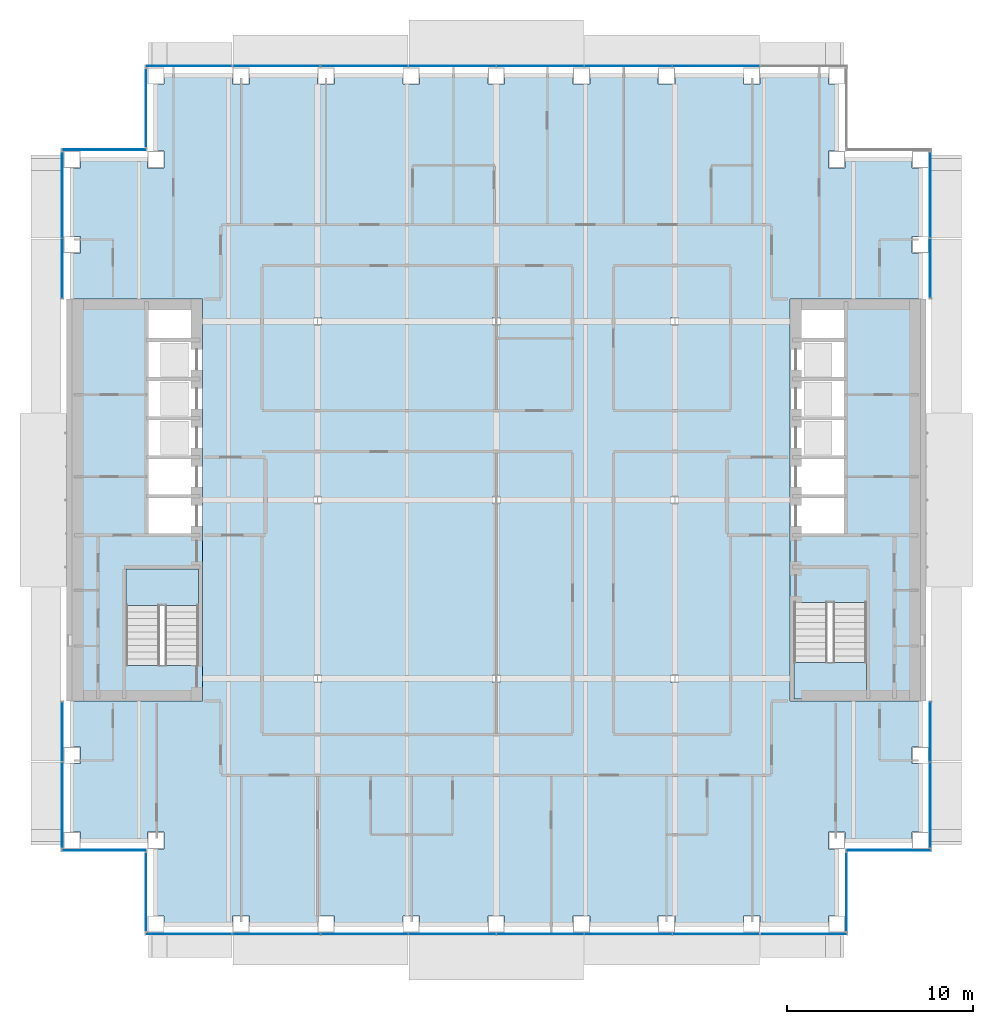
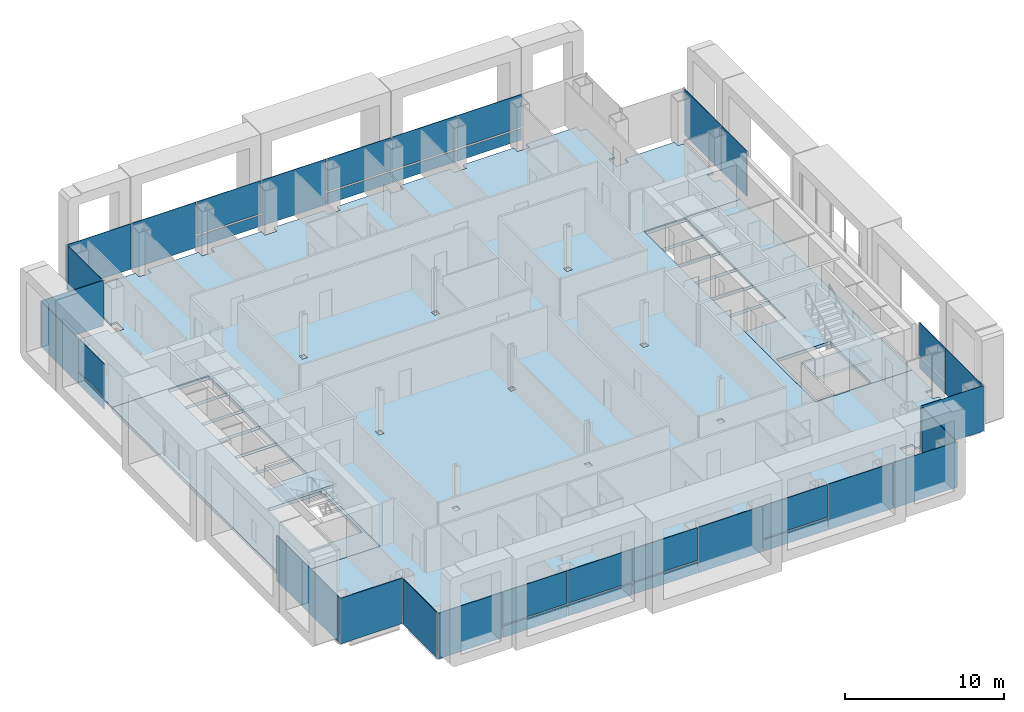
# One storey, part 9 of 20: 39 plates, 5 slabs, 14 elements without a shape of their own.
"""IFC4 building model written with IfcOpenShell, lengths in metres."""

from ifc_helpers import new_model, si_unit, direction, frame, origin, origin_2d, place, context, subcontext, project, spatial, polyline, rectangle, outline, extrude, material, layer, layer_set, type_object, element, aggregate, save


model = new_model("IFC4")

# Units and contexts
model_context = context("Model", 3, precision=1e-05, world=origin(), true_north=direction((0.0, 1.0)))
body_context = subcontext(model_context, "Body", "Model", "MODEL_VIEW")
ifc_project = project(units=[si_unit("LENGTHUNIT", "METRE"), si_unit("AREAUNIT", "SQUARE_METRE"), si_unit("VOLUMEUNIT", "CUBIC_METRE"), si_unit("PLANEANGLEUNIT", "RADIAN"), si_unit("MASSUNIT", "GRAM", prefix="KILO")], contexts=[model_context])

# Site, building, storey
site_placement = place(None, origin())
site = spatial("IfcSite", under=ifc_project, at=site_placement, CompositionType="ELEMENT")
building_placement = place(site_placement, origin())
building = spatial("IfcBuilding", under=site, at=building_placement, Name="Cobrizo Arcos Hotel Tower", CompositionType="ELEMENT")
storey_placement = place(building_placement, frame((0.0, 0.0, 110.0)))
storey = spatial("IfcBuildingStorey", under=building, at=storey_placement, Name="L27", CompositionType="ELEMENT", Elevation=110.0)

# Curtain wall, plates
ifc_material_1 = material(Name="Aluminium 6063-T6 anodised bronze", Category="aluminium")
curtain_wall_type = type_object("IfcCurtainWallType", Name="CW-A guest facade", PredefinedType="NOTDEFINED", material=ifc_material_1)
curtain_wall_1_placement = place(storey_placement, origin())
curtain_wall_1 = element("IfcCurtainWall", 1, at=curtain_wall_1_placement, inside=storey, type_object=curtain_wall_type, Name="CW-A L27 S face", PredefinedType="NOTDEFINED")
ifc_material_2 = material(Name="Glass clear laminated low-e", Category="glass")
ifc_layer_1 = layer(ifc_material_2, 0.0400390625)
ifc_layer_set_1 = layer_set([ifc_layer_1], Name="CW-A glass panel")
plate_type_1 = type_object("IfcPlateType", Name="CW-A glass panel", PredefinedType="CURTAIN_PANEL", material=ifc_layer_set_1)
plate_1_placement = place(storey_placement, frame((-11.8125, -23.324951171875, 0.990234375), z_axis=(0.0, 0.0, 1.0), x_axis=(1.0, 0.0, 0.0)))
plate_1 = element("IfcPlate", 2, at=plate_1_placement, type_object=plate_type_1, Name="CW-A glass panel 1044", PredefinedType="CURTAIN_PANEL", context=body_context, shape_type="SweptSolid", body=[
    extrude(rectangle(XDim=4.6650390625, YDim=0.0400390625, at=origin_2d()), origin(), (0.0, 0.0, 1.0), 2.510009765625),
])
plate_2_placement = place(storey_placement, frame((-7.08740234375, -23.324951171875, 0.990234375), z_axis=(0.0, 0.0, 1.0), x_axis=(1.0, 0.0, 0.0)))
plate_2 = element("IfcPlate", 3, at=plate_2_placement, type_object=plate_type_1, Name="CW-A glass panel 1045", PredefinedType="CURTAIN_PANEL", context=body_context, shape_type="SweptSolid", body=[
    extrude(rectangle(XDim=4.6650390625, YDim=0.0400390625, at=origin_2d()), origin(), (0.0, 0.0, 1.0), 2.510009765625),
])
plate_3_placement = place(storey_placement, frame((-2.362548828125, -23.324951171875, 0.990234375), z_axis=(0.0, 0.0, 1.0), x_axis=(1.0, 0.0, 0.0)))
plate_3 = element("IfcPlate", 4, at=plate_3_placement, type_object=plate_type_1, Name="CW-A glass panel 1046", PredefinedType="CURTAIN_PANEL", context=body_context, shape_type="SweptSolid", body=[
    extrude(rectangle(XDim=4.6650390625, YDim=0.0400390625, at=origin_2d()), origin(), (0.0, 0.0, 1.0), 2.510009765625),
])
plate_4_placement = place(storey_placement, frame((7.08740234375, -23.324951171875, 0.990234375), z_axis=(0.0, 0.0, 1.0), x_axis=(1.0, 0.0, 0.0)))
plate_4 = element("IfcPlate", 5, at=plate_4_placement, type_object=plate_type_1, Name="CW-A glass panel 1048", PredefinedType="CURTAIN_PANEL", context=body_context, shape_type="SweptSolid", body=[
    extrude(rectangle(XDim=4.6650390625, YDim=0.0400390625, at=origin_2d()), origin(), (0.0, 0.0, 1.0), 2.510009765625),
])

# Curtain wall, plate
curtain_wall_2_placement = place(storey_placement, origin())
curtain_wall_2 = element("IfcCurtainWall", 6, at=curtain_wall_2_placement, inside=storey, type_object=curtain_wall_type, Name="CW-A L27 E face", PredefinedType="NOTDEFINED")
plate_5_placement = place(storey_placement, frame((23.324951171875, -12.4462890625, 0.990234375), z_axis=(0.0, 0.0, 1.0), x_axis=(0.0, 1.0, 0.0)))
plate_5 = element("IfcPlate", 7, at=plate_5_placement, type_object=plate_type_1, Name="CW-A glass panel 1054", PredefinedType="CURTAIN_PANEL", context=body_context, shape_type="SweptSolid", body=[
    extrude(rectangle(XDim=3.172607421875, YDim=0.0400390625, at=origin_2d()), origin(), (0.0, 0.0, 1.0), 2.510009765625),
])

# Curtain wall, plates
curtain_wall_3_placement = place(storey_placement, origin())
curtain_wall_3 = element("IfcCurtainWall", 8, at=curtain_wall_3_placement, inside=storey, type_object=curtain_wall_type, Name="CW-A L27 N face", PredefinedType="NOTDEFINED")
plate_6_placement = place(storey_placement, frame((11.8125, 23.324951171875, 0.990234375), z_axis=(0.0, 0.0, 1.0), x_axis=(-1.0, 0.0, 0.0)))
plate_6 = element("IfcPlate", 9, at=plate_6_placement, type_object=plate_type_1, Name="CW-A glass panel 1060", PredefinedType="CURTAIN_PANEL", context=body_context, shape_type="SweptSolid", body=[
    extrude(rectangle(XDim=4.6650390625, YDim=0.0400390625, at=origin_2d()), origin(), (0.0, 0.0, 1.0), 2.510009765625),
])
plate_7_placement = place(storey_placement, frame((7.08740234375, 23.324951171875, 0.990234375), z_axis=(0.0, 0.0, 1.0), x_axis=(-1.0, 0.0, 0.0)))
plate_7 = element("IfcPlate", 10, at=plate_7_placement, type_object=plate_type_1, Name="CW-A glass panel 1061", PredefinedType="CURTAIN_PANEL", context=body_context, shape_type="SweptSolid", body=[
    extrude(rectangle(XDim=4.6650390625, YDim=0.0400390625, at=origin_2d()), origin(), (0.0, 0.0, 1.0), 2.510009765625),
])
plate_8_placement = place(storey_placement, frame((2.362548828125, 23.324951171875, 0.990234375), z_axis=(0.0, 0.0, 1.0), x_axis=(-1.0, 0.0, 0.0)))
plate_8 = element("IfcPlate", 11, at=plate_8_placement, type_object=plate_type_1, Name="CW-A glass panel 1062", PredefinedType="CURTAIN_PANEL", context=body_context, shape_type="SweptSolid", body=[
    extrude(rectangle(XDim=4.6650390625, YDim=0.0400390625, at=origin_2d()), origin(), (0.0, 0.0, 1.0), 2.510009765625),
])
plate_9_placement = place(storey_placement, frame((-7.08740234375, 23.324951171875, 0.990234375), z_axis=(0.0, 0.0, 1.0), x_axis=(-1.0, 0.0, 0.0)))
plate_9 = element("IfcPlate", 12, at=plate_9_placement, type_object=plate_type_1, Name="CW-A glass panel 1064", PredefinedType="CURTAIN_PANEL", context=body_context, shape_type="SweptSolid", body=[
    extrude(rectangle(XDim=4.6650390625, YDim=0.0400390625, at=origin_2d()), origin(), (0.0, 0.0, 1.0), 2.510009765625),
])

# Curtain wall, plate
curtain_wall_4_placement = place(storey_placement, origin())
curtain_wall_4 = element("IfcCurtainWall", 13, at=curtain_wall_4_placement, inside=storey, type_object=curtain_wall_type, Name="CW-A L27 W face", PredefinedType="NOTDEFINED")
plate_10_placement = place(storey_placement, frame((-23.324951171875, 12.4462890625, 0.990234375), z_axis=(0.0, 0.0, 1.0), x_axis=(0.0, -1.0, 0.0)))
plate_10 = element("IfcPlate", 14, at=plate_10_placement, type_object=plate_type_1, Name="CW-A glass panel 1070", PredefinedType="CURTAIN_PANEL", context=body_context, shape_type="SweptSolid", body=[
    extrude(rectangle(XDim=3.172607421875, YDim=0.0400390625, at=origin_2d()), origin(), (0.0, 0.0, 1.0), 2.510009765625),
])

# Plate
ifc_material_3 = material(Name="Aluminium composite panel pale metal", Category="aluminium")
ifc_layer_2 = layer(ifc_material_3, 0.0400390625)
ifc_layer_set_2 = layer_set([ifc_layer_2], Name="CW-A spandrel panel")
plate_type_2 = type_object("IfcPlateType", Name="CW-A spandrel panel", PredefinedType="CURTAIN_PANEL", material=ifc_layer_set_2)
plate_11_placement = place(storey_placement, frame((-16.5224609375, -23.324951171875, 0.0), z_axis=(0.0, 0.0, 1.0), x_axis=(1.0, 0.0, 0.0)))
plate_11 = element("IfcPlate", 15, at=plate_11_placement, type_object=plate_type_2, Name="CW-A spandrel panel 1043", PredefinedType="CURTAIN_PANEL", context=body_context, shape_type="SweptSolid", body=[
    extrude(rectangle(XDim=4.635009765625, YDim=0.0400390625, at=origin_2d()), origin(), (0.0, 0.0, 1.0), 3.5),
])

plate_12_placement = place(storey_placement, frame((-11.8125, -23.324951171875, 0.0), z_axis=(0.0, 0.0, 1.0), x_axis=(1.0, 0.0, 0.0)))
plate_12 = element("IfcPlate", 16, at=plate_12_placement, type_object=plate_type_2, Name="CW-A spandrel panel 1044", PredefinedType="CURTAIN_PANEL", context=body_context, shape_type="SweptSolid", body=[
    extrude(rectangle(XDim=4.6650390625, YDim=0.0400390625, at=origin_2d()), origin(), (0.0, 0.0, 1.0), 0.8701171875),
])

plate_13_placement = place(storey_placement, frame((-7.08740234375, -23.324951171875, 0.0), z_axis=(0.0, 0.0, 1.0), x_axis=(1.0, 0.0, 0.0)))
plate_13 = element("IfcPlate", 17, at=plate_13_placement, type_object=plate_type_2, Name="CW-A spandrel panel 1045", PredefinedType="CURTAIN_PANEL", context=body_context, shape_type="SweptSolid", body=[
    extrude(rectangle(XDim=4.6650390625, YDim=0.0400390625, at=origin_2d()), origin(), (0.0, 0.0, 1.0), 0.8701171875),
])

plate_14_placement = place(storey_placement, frame((-2.362548828125, -23.324951171875, 0.0), z_axis=(0.0, 0.0, 1.0), x_axis=(1.0, 0.0, 0.0)))
plate_14 = element("IfcPlate", 18, at=plate_14_placement, type_object=plate_type_2, Name="CW-A spandrel panel 1046", PredefinedType="CURTAIN_PANEL", context=body_context, shape_type="SweptSolid", body=[
    extrude(rectangle(XDim=4.6650390625, YDim=0.0400390625, at=origin_2d()), origin(), (0.0, 0.0, 1.0), 0.8701171875),
])

plate_15_placement = place(storey_placement, frame((2.362548828125, -23.324951171875, 0.0), z_axis=(0.0, 0.0, 1.0), x_axis=(1.0, 0.0, 0.0)))
plate_15 = element("IfcPlate", 19, at=plate_15_placement, type_object=plate_type_2, Name="CW-A spandrel panel 1047", PredefinedType="CURTAIN_PANEL", context=body_context, shape_type="SweptSolid", body=[
    extrude(rectangle(XDim=4.6650390625, YDim=0.0400390625, at=origin_2d()), origin(), (0.0, 0.0, 1.0), 3.5),
])

plate_16_placement = place(storey_placement, frame((7.08740234375, -23.324951171875, 0.0), z_axis=(0.0, 0.0, 1.0), x_axis=(1.0, 0.0, 0.0)))
plate_16 = element("IfcPlate", 20, at=plate_16_placement, type_object=plate_type_2, Name="CW-A spandrel panel 1048", PredefinedType="CURTAIN_PANEL", context=body_context, shape_type="SweptSolid", body=[
    extrude(rectangle(XDim=4.6650390625, YDim=0.0400390625, at=origin_2d()), origin(), (0.0, 0.0, 1.0), 0.8701171875),
])

plate_17_placement = place(storey_placement, frame((11.8125, -23.324951171875, 0.0), z_axis=(0.0, 0.0, 1.0), x_axis=(1.0, 0.0, 0.0)))
plate_17 = element("IfcPlate", 21, at=plate_17_placement, type_object=plate_type_2, Name="CW-A spandrel panel 1049", PredefinedType="CURTAIN_PANEL", context=body_context, shape_type="SweptSolid", body=[
    extrude(rectangle(XDim=4.6650390625, YDim=0.0400390625, at=origin_2d()), origin(), (0.0, 0.0, 1.0), 3.5),
])

plate_18_placement = place(storey_placement, frame((16.5224609375, -23.324951171875, 0.0), z_axis=(0.0, 0.0, 1.0), x_axis=(1.0, 0.0, 0.0)))
plate_18 = element("IfcPlate", 22, at=plate_18_placement, type_object=plate_type_2, Name="CW-A spandrel panel 1050", PredefinedType="CURTAIN_PANEL", context=body_context, shape_type="SweptSolid", body=[
    extrude(rectangle(XDim=4.635009765625, YDim=0.0400390625, at=origin_2d()), origin(), (0.0, 0.0, 1.0), 3.5),
])

aggregate(curtain_wall_1, [plate_11, plate_12, plate_1, plate_13, plate_2, plate_14, plate_3, plate_15, plate_16, plate_4, plate_17, plate_18])

# Curtain wall, plate
curtain_wall_5_placement = place(storey_placement, origin())
curtain_wall_5 = element("IfcCurtainWall", 23, at=curtain_wall_5_placement, inside=storey, type_object=curtain_wall_type, Name="CW-A L27 E face", PredefinedType="NOTDEFINED")
plate_19_placement = place(storey_placement, frame((18.824951171875, -21.074951171875, 0.0), z_axis=(0.0, 0.0, 1.0), x_axis=(0.0, 1.0, 0.0)))
plate_19 = element("IfcPlate", 24, at=plate_19_placement, type_object=plate_type_2, Name="CW-A spandrel panel 1051", PredefinedType="CURTAIN_PANEL", context=body_context, shape_type="SweptSolid", body=[
    extrude(rectangle(XDim=4.22998046875, YDim=0.0400390625, at=origin_2d()), origin(), (0.0, 0.0, 1.0), 3.5),
])
aggregate(curtain_wall_5, [plate_19])

curtain_wall_6_placement = place(storey_placement, origin())
curtain_wall_6 = element("IfcCurtainWall", 25, at=curtain_wall_6_placement, inside=storey, type_object=curtain_wall_type, Name="CW-A L27 S face", PredefinedType="NOTDEFINED")
plate_20_placement = place(storey_placement, frame((21.074951171875, -18.824951171875, 0.0), z_axis=(0.0, 0.0, 1.0), x_axis=(1.0, 0.0, 0.0)))
plate_20 = element("IfcPlate", 26, at=plate_20_placement, type_object=plate_type_2, Name="CW-A spandrel panel 1052", PredefinedType="CURTAIN_PANEL", context=body_context, shape_type="SweptSolid", body=[
    extrude(rectangle(XDim=4.530029296875, YDim=0.0400390625, at=origin_2d()), origin(), (0.0, 0.0, 1.0), 3.5),
])
aggregate(curtain_wall_6, [plate_20])

# Plate
plate_21_placement = place(storey_placement, frame((23.324951171875, -16.391357421875, 0.0), z_axis=(0.0, 0.0, 1.0), x_axis=(0.0, 1.0, 0.0)))
plate_21 = element("IfcPlate", 27, at=plate_21_placement, type_object=plate_type_2, Name="CW-A spandrel panel 1053", PredefinedType="CURTAIN_PANEL", context=body_context, shape_type="SweptSolid", body=[
    extrude(rectangle(XDim=4.597412109375, YDim=0.0400390625, at=origin_2d()), origin(), (0.0, 0.0, 1.0), 3.5),
])

plate_22_placement = place(storey_placement, frame((23.324951171875, -12.4462890625, 0.0), z_axis=(0.0, 0.0, 1.0), x_axis=(0.0, 1.0, 0.0)))
plate_22 = element("IfcPlate", 28, at=plate_22_placement, type_object=plate_type_2, Name="CW-A spandrel panel 1054", PredefinedType="CURTAIN_PANEL", context=body_context, shape_type="SweptSolid", body=[
    extrude(rectangle(XDim=3.172607421875, YDim=0.0400390625, at=origin_2d()), origin(), (0.0, 0.0, 1.0), 0.8701171875),
])

aggregate(curtain_wall_2, [plate_21, plate_22, plate_5])

# Curtain wall, plates
curtain_wall_7_placement = place(storey_placement, origin())
curtain_wall_7 = element("IfcCurtainWall", 29, at=curtain_wall_7_placement, inside=storey, type_object=curtain_wall_type, Name="CW-A L27 E face", PredefinedType="NOTDEFINED")
plate_23_placement = place(storey_placement, frame((23.324951171875, 12.4462890625, 0.0), z_axis=(0.0, 0.0, 1.0), x_axis=(0.0, 1.0, 0.0)))
plate_23 = element("IfcPlate", 30, at=plate_23_placement, type_object=plate_type_2, Name="CW-A spandrel panel 1055", PredefinedType="CURTAIN_PANEL", context=body_context, shape_type="SweptSolid", body=[
    extrude(rectangle(XDim=3.172607421875, YDim=0.0400390625, at=origin_2d()), origin(), (0.0, 0.0, 1.0), 3.5),
])
plate_24_placement = place(storey_placement, frame((23.324951171875, 16.391357421875, 0.0), z_axis=(0.0, 0.0, 1.0), x_axis=(0.0, 1.0, 0.0)))
plate_24 = element("IfcPlate", 31, at=plate_24_placement, type_object=plate_type_2, Name="CW-A spandrel panel 1056", PredefinedType="CURTAIN_PANEL", context=body_context, shape_type="SweptSolid", body=[
    extrude(rectangle(XDim=4.597412109375, YDim=0.0400390625, at=origin_2d()), origin(), (0.0, 0.0, 1.0), 3.5),
])
aggregate(curtain_wall_7, [plate_23, plate_24])

# Plate
plate_25_placement = place(storey_placement, frame((11.8125, 23.324951171875, 0.0), z_axis=(0.0, 0.0, 1.0), x_axis=(-1.0, 0.0, 0.0)))
plate_25 = element("IfcPlate", 32, at=plate_25_placement, type_object=plate_type_2, Name="CW-A spandrel panel 1060", PredefinedType="CURTAIN_PANEL", context=body_context, shape_type="SweptSolid", body=[
    extrude(rectangle(XDim=4.6650390625, YDim=0.0400390625, at=origin_2d()), origin(), (0.0, 0.0, 1.0), 0.8701171875),
])

plate_26_placement = place(storey_placement, frame((7.08740234375, 23.324951171875, 0.0), z_axis=(0.0, 0.0, 1.0), x_axis=(-1.0, 0.0, 0.0)))
plate_26 = element("IfcPlate", 33, at=plate_26_placement, type_object=plate_type_2, Name="CW-A spandrel panel 1061", PredefinedType="CURTAIN_PANEL", context=body_context, shape_type="SweptSolid", body=[
    extrude(rectangle(XDim=4.6650390625, YDim=0.0400390625, at=origin_2d()), origin(), (0.0, 0.0, 1.0), 0.8701171875),
])

plate_27_placement = place(storey_placement, frame((2.362548828125, 23.324951171875, 0.0), z_axis=(0.0, 0.0, 1.0), x_axis=(-1.0, 0.0, 0.0)))
plate_27 = element("IfcPlate", 34, at=plate_27_placement, type_object=plate_type_2, Name="CW-A spandrel panel 1062", PredefinedType="CURTAIN_PANEL", context=body_context, shape_type="SweptSolid", body=[
    extrude(rectangle(XDim=4.6650390625, YDim=0.0400390625, at=origin_2d()), origin(), (0.0, 0.0, 1.0), 0.8701171875),
])

plate_28_placement = place(storey_placement, frame((-2.362548828125, 23.324951171875, 0.0), z_axis=(0.0, 0.0, 1.0), x_axis=(-1.0, 0.0, 0.0)))
plate_28 = element("IfcPlate", 35, at=plate_28_placement, type_object=plate_type_2, Name="CW-A spandrel panel 1063", PredefinedType="CURTAIN_PANEL", context=body_context, shape_type="SweptSolid", body=[
    extrude(rectangle(XDim=4.6650390625, YDim=0.0400390625, at=origin_2d()), origin(), (0.0, 0.0, 1.0), 3.5),
])

plate_29_placement = place(storey_placement, frame((-7.08740234375, 23.324951171875, 0.0), z_axis=(0.0, 0.0, 1.0), x_axis=(-1.0, 0.0, 0.0)))
plate_29 = element("IfcPlate", 36, at=plate_29_placement, type_object=plate_type_2, Name="CW-A spandrel panel 1064", PredefinedType="CURTAIN_PANEL", context=body_context, shape_type="SweptSolid", body=[
    extrude(rectangle(XDim=4.6650390625, YDim=0.0400390625, at=origin_2d()), origin(), (0.0, 0.0, 1.0), 0.8701171875),
])

plate_30_placement = place(storey_placement, frame((-11.8125, 23.324951171875, 0.0), z_axis=(0.0, 0.0, 1.0), x_axis=(-1.0, 0.0, 0.0)))
plate_30 = element("IfcPlate", 37, at=plate_30_placement, type_object=plate_type_2, Name="CW-A spandrel panel 1065", PredefinedType="CURTAIN_PANEL", context=body_context, shape_type="SweptSolid", body=[
    extrude(rectangle(XDim=4.6650390625, YDim=0.0400390625, at=origin_2d()), origin(), (0.0, 0.0, 1.0), 3.5),
])

plate_31_placement = place(storey_placement, frame((-16.5224609375, 23.324951171875, 0.0), z_axis=(0.0, 0.0, 1.0), x_axis=(-1.0, 0.0, 0.0)))
plate_31 = element("IfcPlate", 38, at=plate_31_placement, type_object=plate_type_2, Name="CW-A spandrel panel 1066", PredefinedType="CURTAIN_PANEL", context=body_context, shape_type="SweptSolid", body=[
    extrude(rectangle(XDim=4.635009765625, YDim=0.0400390625, at=origin_2d()), origin(), (0.0, 0.0, 1.0), 3.5),
])

aggregate(curtain_wall_3, [plate_25, plate_6, plate_26, plate_7, plate_27, plate_8, plate_28, plate_29, plate_9, plate_30, plate_31])

# Curtain wall, plate
curtain_wall_8_placement = place(storey_placement, origin())
curtain_wall_8 = element("IfcCurtainWall", 39, at=curtain_wall_8_placement, inside=storey, type_object=curtain_wall_type, Name="CW-A L27 W face", PredefinedType="NOTDEFINED")
plate_32_placement = place(storey_placement, frame((-18.824951171875, 21.074951171875, 0.0), z_axis=(0.0, 0.0, 1.0), x_axis=(0.0, -1.0, 0.0)))
plate_32 = element("IfcPlate", 40, at=plate_32_placement, type_object=plate_type_2, Name="CW-A spandrel panel 1067", PredefinedType="CURTAIN_PANEL", context=body_context, shape_type="SweptSolid", body=[
    extrude(rectangle(XDim=4.22998046875, YDim=0.0400390625, at=origin_2d()), origin(), (0.0, 0.0, 1.0), 3.5),
])
aggregate(curtain_wall_8, [plate_32])

curtain_wall_9_placement = place(storey_placement, origin())
curtain_wall_9 = element("IfcCurtainWall", 41, at=curtain_wall_9_placement, inside=storey, type_object=curtain_wall_type, Name="CW-A L27 N face", PredefinedType="NOTDEFINED")
plate_33_placement = place(storey_placement, frame((-21.074951171875, 18.824951171875, 0.0), z_axis=(0.0, 0.0, 1.0), x_axis=(-1.0, 0.0, 0.0)))
plate_33 = element("IfcPlate", 42, at=plate_33_placement, type_object=plate_type_2, Name="CW-A spandrel panel 1068", PredefinedType="CURTAIN_PANEL", context=body_context, shape_type="SweptSolid", body=[
    extrude(rectangle(XDim=4.530029296875, YDim=0.0400390625, at=origin_2d()), origin(), (0.0, 0.0, 1.0), 3.5),
])
aggregate(curtain_wall_9, [plate_33])

# Plate
plate_34_placement = place(storey_placement, frame((-23.324951171875, 16.391357421875, 0.0), z_axis=(0.0, 0.0, 1.0), x_axis=(0.0, -1.0, 0.0)))
plate_34 = element("IfcPlate", 43, at=plate_34_placement, type_object=plate_type_2, Name="CW-A spandrel panel 1069", PredefinedType="CURTAIN_PANEL", context=body_context, shape_type="SweptSolid", body=[
    extrude(rectangle(XDim=4.597412109375, YDim=0.0400390625, at=origin_2d()), origin(), (0.0, 0.0, 1.0), 3.5),
])

plate_35_placement = place(storey_placement, frame((-23.324951171875, 12.4462890625, 0.0), z_axis=(0.0, 0.0, 1.0), x_axis=(0.0, -1.0, 0.0)))
plate_35 = element("IfcPlate", 44, at=plate_35_placement, type_object=plate_type_2, Name="CW-A spandrel panel 1070", PredefinedType="CURTAIN_PANEL", context=body_context, shape_type="SweptSolid", body=[
    extrude(rectangle(XDim=3.172607421875, YDim=0.0400390625, at=origin_2d()), origin(), (0.0, 0.0, 1.0), 0.8701171875),
])

aggregate(curtain_wall_4, [plate_34, plate_35, plate_10])

# Curtain wall, plates
curtain_wall_10_placement = place(storey_placement, origin())
curtain_wall_10 = element("IfcCurtainWall", 45, at=curtain_wall_10_placement, inside=storey, type_object=curtain_wall_type, Name="CW-A L27 W face", PredefinedType="NOTDEFINED")
plate_36_placement = place(storey_placement, frame((-23.324951171875, -12.4462890625, 0.0), z_axis=(0.0, 0.0, 1.0), x_axis=(0.0, -1.0, 0.0)))
plate_36 = element("IfcPlate", 46, at=plate_36_placement, type_object=plate_type_2, Name="CW-A spandrel panel 1071", PredefinedType="CURTAIN_PANEL", context=body_context, shape_type="SweptSolid", body=[
    extrude(rectangle(XDim=3.172607421875, YDim=0.0400390625, at=origin_2d()), origin(), (0.0, 0.0, 1.0), 3.5),
])
plate_37_placement = place(storey_placement, frame((-23.324951171875, -16.391357421875, 0.0), z_axis=(0.0, 0.0, 1.0), x_axis=(0.0, -1.0, 0.0)))
plate_37 = element("IfcPlate", 47, at=plate_37_placement, type_object=plate_type_2, Name="CW-A spandrel panel 1072", PredefinedType="CURTAIN_PANEL", context=body_context, shape_type="SweptSolid", body=[
    extrude(rectangle(XDim=4.597412109375, YDim=0.0400390625, at=origin_2d()), origin(), (0.0, 0.0, 1.0), 3.5),
])
aggregate(curtain_wall_10, [plate_36, plate_37])

# Curtain wall, plate
curtain_wall_11_placement = place(storey_placement, origin())
curtain_wall_11 = element("IfcCurtainWall", 48, at=curtain_wall_11_placement, inside=storey, type_object=curtain_wall_type, Name="CW-A L27 S face", PredefinedType="NOTDEFINED")
plate_38_placement = place(storey_placement, frame((-21.074951171875, -18.824951171875, 0.0), z_axis=(0.0, 0.0, 1.0), x_axis=(1.0, 0.0, 0.0)))
plate_38 = element("IfcPlate", 49, at=plate_38_placement, type_object=plate_type_2, Name="CW-A spandrel panel 1073", PredefinedType="CURTAIN_PANEL", context=body_context, shape_type="SweptSolid", body=[
    extrude(rectangle(XDim=4.530029296875, YDim=0.0400390625, at=origin_2d()), origin(), (0.0, 0.0, 1.0), 3.5),
])
aggregate(curtain_wall_11, [plate_38])

curtain_wall_12_placement = place(storey_placement, origin())
curtain_wall_12 = element("IfcCurtainWall", 50, at=curtain_wall_12_placement, inside=storey, type_object=curtain_wall_type, Name="CW-A L27 W face", PredefinedType="NOTDEFINED")
plate_39_placement = place(storey_placement, frame((-18.824951171875, -21.074951171875, 0.0), z_axis=(0.0, 0.0, 1.0), x_axis=(0.0, -1.0, 0.0)))
plate_39 = element("IfcPlate", 51, at=plate_39_placement, type_object=plate_type_2, Name="CW-A spandrel panel 1074", PredefinedType="CURTAIN_PANEL", context=body_context, shape_type="SweptSolid", body=[
    extrude(rectangle(XDim=4.22998046875, YDim=0.0400390625, at=origin_2d()), origin(), (0.0, 0.0, 1.0), 3.5),
])
aggregate(curtain_wall_12, [plate_39])

# Slabs
ifc_material_4 = material(Name="Concrete f'c 35 MPa", Category="concrete")
ifc_layer_3 = layer(ifc_material_4, 0.14990234375)
ifc_layer_set_3 = layer_set([ifc_layer_3], Name="Composite floor slab 150 f'c 35")
slab_type_1 = type_object("IfcSlabType", Name="Composite floor slab 150 f'c 35", PredefinedType="FLOOR", material=ifc_layer_set_3)
slab_1_placement = place(storey_placement, frame((0.0, 0.0, -0.14990234375)))
element("IfcSlab", 52, at=slab_1_placement, inside=storey, type_object=slab_type_1, Name="Floor slab S5, L27, no. 01", PredefinedType="FLOOR", context=body_context, shape_type="SweptSolid", body=[
    extrude(outline(polyline([(-17.85009765625, -22.800048828125), (-17.85009765625, -22.35009765625), (-18.300048828125, -22.35009765625), (-18.300048828125, -18.75), (-17.85009765625, -18.75), (-17.85009765625, -17.85009765625), (-18.75, -17.85009765625), (-18.75, -18.300048828125), (-22.35009765625, -18.300048828125), (-22.35009765625, -17.85009765625), (-22.800048828125, -17.85009765625), (-22.800048828125, -14.175048828125), (-22.35009765625, -14.175048828125), (-22.35009765625, -13.27490234375), (-22.800048828125, -13.27490234375), (-22.800048828125, -10.800048828125), (-15.800048828125, -10.800048828125), (-15.800048828125, 10.800048828125), (-22.800048828125, 10.800048828125), (-22.800048828125, 13.27490234375), (-22.35009765625, 13.27490234375), (-22.35009765625, 14.175048828125), (-22.800048828125, 14.175048828125), (-22.800048828125, 17.85009765625), (-22.35009765625, 17.85009765625), (-22.35009765625, 18.300048828125), (-18.75, 18.300048828125), (-18.75, 17.85009765625), (-17.85009765625, 17.85009765625), (-17.85009765625, 18.75), (-18.300048828125, 18.75), (-18.300048828125, 22.35009765625), (-17.85009765625, 22.35009765625), (-17.85009765625, 22.800048828125), (-14.175048828125, 22.800048828125), (-14.175048828125, 22.35009765625), (-13.27490234375, 22.35009765625), (-13.27490234375, 22.800048828125), (-9.60009765625, 22.800048828125), (-9.60009765625, 22.35009765625), (-8.699951171875, 22.35009765625), (-8.699951171875, 22.800048828125), (-5.02490234375, 22.800048828125), (-5.02490234375, 22.35009765625), (-4.125, 22.35009765625), (-4.125, 22.800048828125), (-0.449951171875, 22.800048828125), (-0.449951171875, 22.35009765625), (0.449951171875, 22.35009765625), (0.449951171875, 22.800048828125), (4.125, 22.800048828125), (4.125, 22.35009765625), (5.02490234375, 22.35009765625), (5.02490234375, 22.800048828125), (8.699951171875, 22.800048828125), (8.699951171875, 22.35009765625), (9.60009765625, 22.35009765625), (9.60009765625, 22.800048828125), (13.27490234375, 22.800048828125), (13.27490234375, 22.35009765625), (14.175048828125, 22.35009765625), (14.175048828125, 22.800048828125), (17.85009765625, 22.800048828125), (17.85009765625, 22.35009765625), (18.300048828125, 22.35009765625), (18.300048828125, 18.75), (17.85009765625, 18.75), (17.85009765625, 17.85009765625), (18.75, 17.85009765625), (18.75, 18.300048828125), (22.35009765625, 18.300048828125), (22.35009765625, 17.85009765625), (22.800048828125, 17.85009765625), (22.800048828125, 14.175048828125), (22.35009765625, 14.175048828125), (22.35009765625, 13.27490234375), (22.800048828125, 13.27490234375), (22.800048828125, 10.800048828125), (15.800048828125, 10.800048828125), (15.800048828125, -10.800048828125), (22.800048828125, -10.800048828125), (22.800048828125, -13.27490234375), (22.35009765625, -13.27490234375), (22.35009765625, -14.175048828125), (22.800048828125, -14.175048828125), (22.800048828125, -17.85009765625), (22.35009765625, -17.85009765625), (22.35009765625, -18.300048828125), (18.75, -18.300048828125), (18.75, -17.85009765625), (17.85009765625, -17.85009765625), (17.85009765625, -18.75), (18.300048828125, -18.75), (18.300048828125, -22.35009765625), (17.85009765625, -22.35009765625), (17.85009765625, -22.800048828125), (14.175048828125, -22.800048828125), (14.175048828125, -22.35009765625), (13.27490234375, -22.35009765625), (13.27490234375, -22.800048828125), (9.60009765625, -22.800048828125), (9.60009765625, -22.35009765625), (8.699951171875, -22.35009765625), (8.699951171875, -22.800048828125), (5.02490234375, -22.800048828125), (5.02490234375, -22.35009765625), (4.125, -22.35009765625), (4.125, -22.800048828125), (0.449951171875, -22.800048828125), (0.449951171875, -22.35009765625), (-0.449951171875, -22.35009765625), (-0.449951171875, -22.800048828125), (-4.125, -22.800048828125), (-4.125, -22.35009765625), (-5.02490234375, -22.35009765625), (-5.02490234375, -22.800048828125), (-8.699951171875, -22.800048828125), (-8.699951171875, -22.35009765625), (-9.60009765625, -22.35009765625), (-9.60009765625, -22.800048828125), (-13.27490234375, -22.800048828125), (-13.27490234375, -22.35009765625), (-14.175048828125, -22.35009765625), (-14.175048828125, -22.800048828125), (-17.85009765625, -22.800048828125)]), holes=[polyline([(-9.400634765625, -9.79931640625), (-9.400634765625, -9.400634765625), (-9.79931640625, -9.400634765625), (-9.79931640625, -9.79931640625), (-9.400634765625, -9.79931640625)]), polyline([(-9.400634765625, -0.199462890625), (-9.400634765625, 0.199462890625), (-9.79931640625, 0.199462890625), (-9.79931640625, -0.199462890625), (-9.400634765625, -0.199462890625)]), polyline([(-9.79931640625, 9.400634765625), (-9.400634765625, 9.400634765625), (-9.400634765625, 9.79931640625), (-9.79931640625, 9.79931640625), (-9.79931640625, 9.400634765625)]), polyline([(-0.199462890625, -9.79931640625), (0.199462890625, -9.79931640625), (0.199462890625, -9.400634765625), (-0.199462890625, -9.400634765625), (-0.199462890625, -9.79931640625)]), polyline([(0.199462890625, -0.199462890625), (0.199462890625, 0.199462890625), (-0.199462890625, 0.199462890625), (-0.199462890625, -0.199462890625), (0.199462890625, -0.199462890625)]), polyline([(0.199462890625, 9.400634765625), (0.199462890625, 9.79931640625), (-0.199462890625, 9.79931640625), (-0.199462890625, 9.400634765625), (0.199462890625, 9.400634765625)]), polyline([(9.79931640625, 9.400634765625), (9.79931640625, 9.79931640625), (9.400634765625, 9.79931640625), (9.400634765625, 9.400634765625), (9.79931640625, 9.400634765625)]), polyline([(9.400634765625, -9.79931640625), (9.79931640625, -9.79931640625), (9.79931640625, -9.400634765625), (9.400634765625, -9.400634765625), (9.400634765625, -9.79931640625)]), polyline([(9.400634765625, -0.199462890625), (9.79931640625, -0.199462890625), (9.79931640625, 0.199462890625), (9.400634765625, 0.199462890625), (9.400634765625, -0.199462890625)])]), origin(), (0.0, 0.0, 1.0), 0.14990234375),
])
ifc_material_5 = material(Name="Concrete f'c 50 MPa", Category="concrete")
ifc_layer_4 = layer(ifc_material_5, 0.25)
ifc_layer_set_4 = layer_set([ifc_layer_4], Name="RC core floor slab 250 f'c 50")
slab_type_2 = type_object("IfcSlabType", Name="RC core floor slab 250 f'c 50", PredefinedType="FLOOR", material=ifc_layer_set_4)
slab_2_placement = place(storey_placement, frame((0.0, 0.0, -0.25)))
element("IfcSlab", 53, at=slab_2_placement, inside=storey, type_object=slab_type_2, Name="Core floor slab CS5, east core, L27", PredefinedType="FLOOR", context=body_context, shape_type="SweptSolid", body=[
    extrude(outline(polyline([(15.800048828125, 10.800048828125), (22.800048828125, 10.800048828125), (22.800048828125, -10.800048828125), (15.800048828125, -10.800048828125), (15.800048828125, 10.800048828125)]), holes=[polyline([(19.89794921875, -10.697998046875), (19.89794921875, -5.501953125), (16.001953125, -5.501953125), (16.001953125, -10.697998046875), (19.89794921875, -10.697998046875)]), polyline([(15.802001953125, 0.197998046875), (15.802001953125, -1.89794921875), (18.798095703125, -1.89794921875), (18.798095703125, 0.197998046875), (15.802001953125, 0.197998046875)]), polyline([(18.798095703125, 2.298095703125), (15.802001953125, 2.298095703125), (15.802001953125, 0.201904296875), (18.798095703125, 0.201904296875), (18.798095703125, 2.298095703125)]), polyline([(18.798095703125, 4.39794921875), (15.802001953125, 4.39794921875), (15.802001953125, 2.302001953125), (18.798095703125, 2.302001953125), (18.798095703125, 4.39794921875)]), polyline([(15.802001953125, 6.498046875), (15.802001953125, 4.402099609375), (18.798095703125, 4.402099609375), (18.798095703125, 6.498046875), (15.802001953125, 6.498046875)]), polyline([(18.798095703125, 8.597900390625), (15.802001953125, 8.597900390625), (15.802001953125, 6.501953125), (18.798095703125, 6.501953125), (18.798095703125, 8.597900390625)]), polyline([(18.798095703125, 10.697998046875), (15.802001953125, 10.697998046875), (15.802001953125, 8.60205078125), (18.798095703125, 8.60205078125), (18.798095703125, 10.697998046875)])]), origin(), (0.0, 0.0, 1.0), 0.25),
])
slab_3_placement = place(storey_placement, frame((0.0, 0.0, -0.25)))
element("IfcSlab", 54, at=slab_3_placement, inside=storey, type_object=slab_type_2, Name="Core floor slab CS5, west core, L27", PredefinedType="FLOOR", context=body_context, shape_type="SweptSolid", body=[
    extrude(outline(polyline([(-22.800048828125, 10.800048828125), (-15.800048828125, 10.800048828125), (-15.800048828125, -10.800048828125), (-22.800048828125, -10.800048828125), (-22.800048828125, 10.800048828125)]), holes=[polyline([(-19.89794921875, -3.701904296875), (-19.89794921875, -8.89794921875), (-16.001953125, -8.89794921875), (-16.001953125, -3.701904296875), (-19.89794921875, -3.701904296875)]), polyline([(-18.798095703125, 0.197998046875), (-18.798095703125, -1.89794921875), (-15.802001953125, -1.89794921875), (-15.802001953125, 0.197998046875), (-18.798095703125, 0.197998046875)]), polyline([(-15.802001953125, 2.298095703125), (-18.798095703125, 2.298095703125), (-18.798095703125, 0.201904296875), (-15.802001953125, 0.201904296875), (-15.802001953125, 2.298095703125)]), polyline([(-15.802001953125, 4.39794921875), (-18.798095703125, 4.39794921875), (-18.798095703125, 2.302001953125), (-15.802001953125, 2.302001953125), (-15.802001953125, 4.39794921875)]), polyline([(-18.798095703125, 6.498046875), (-18.798095703125, 4.402099609375), (-15.802001953125, 4.402099609375), (-15.802001953125, 6.498046875), (-18.798095703125, 6.498046875)]), polyline([(-15.802001953125, 8.597900390625), (-18.798095703125, 8.597900390625), (-18.798095703125, 6.501953125), (-15.802001953125, 6.501953125), (-15.802001953125, 8.597900390625)]), polyline([(-15.802001953125, 10.697998046875), (-18.798095703125, 10.697998046875), (-18.798095703125, 8.60205078125), (-15.802001953125, 8.60205078125), (-15.802001953125, 10.697998046875)])]), origin(), (0.0, 0.0, 1.0), 0.25),
])

# Stair, slab
ifc_material_6 = material(Name="Concrete f'c 40 MPa", Category="concrete")
stair_type = type_object("IfcStairType", Name="Exit stair", PredefinedType="HALF_TURN_STAIR", material=ifc_material_6)
stair_1_placement = place(storey_placement, origin())
stair_1 = element("IfcStair", 55, at=stair_1_placement, inside=storey, type_object=stair_type, Name="L27 Exit stair ST-W", PredefinedType="HALF_TURN_STAIR")
ifc_layer_5 = layer(ifc_material_6, 0.199951171875)
ifc_layer_set_5 = layer_set([ifc_layer_5], Name="Stair landing")
slab_type_3 = type_object("IfcSlabType", Name="Stair landing", PredefinedType="LANDING", material=ifc_layer_set_5)
slab_4_placement = place(storey_placement, frame((0.0, 0.0, 1.550048828125)))
slab_4 = element("IfcSlab", 56, at=slab_4_placement, type_object=slab_type_3, Name="ST-W landing 1", PredefinedType="LANDING", context=body_context, shape_type="SweptSolid", body=[
    extrude(outline(polyline([(-16.0, -5.659912109375), (-16.0, -3.699951171875), (-19.89990234375, -3.699951171875), (-19.89990234375, -5.659912109375), (-16.0, -5.659912109375)])), origin(), (0.0, 0.0, 1.0), 0.199951171875),
])
aggregate(stair_1, [slab_4])

stair_2_placement = place(storey_placement, origin())
stair_2 = element("IfcStair", 57, at=stair_2_placement, inside=storey, type_object=stair_type, Name="L27 Exit stair ST-E", PredefinedType="HALF_TURN_STAIR")
slab_5_placement = place(storey_placement, frame((0.0, 0.0, 1.550048828125)))
slab_5 = element("IfcSlab", 58, at=slab_5_placement, type_object=slab_type_3, Name="ST-E landing 1", PredefinedType="LANDING", context=body_context, shape_type="SweptSolid", body=[
    extrude(outline(polyline([(16.0, -8.739990234375), (16.0, -10.699951171875), (19.89990234375, -10.699951171875), (19.89990234375, -8.739990234375), (16.0, -8.739990234375)])), origin(), (0.0, 0.0, 1.0), 0.199951171875),
])
aggregate(stair_2, [slab_5])

save(model, "model.ifc")
